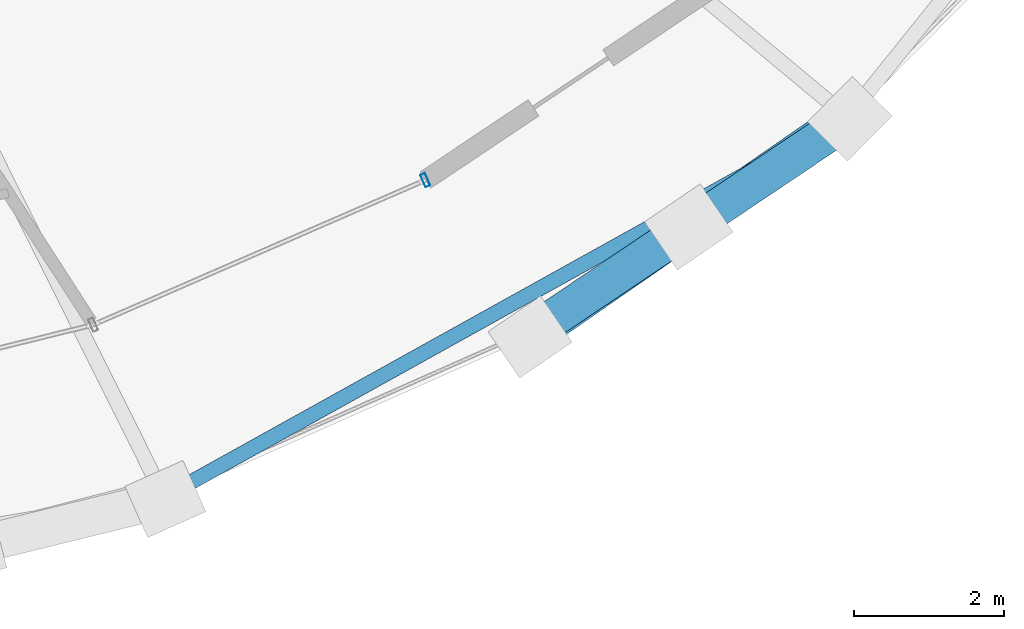
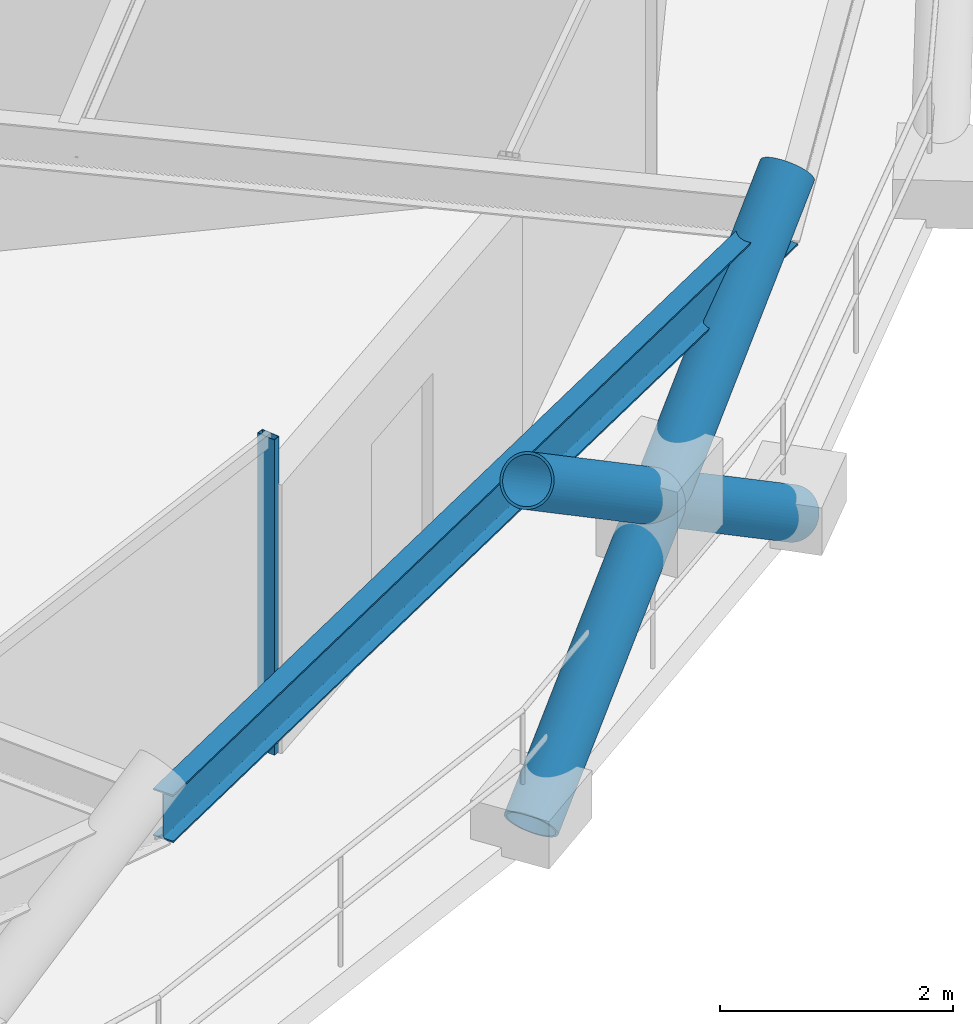
# One storey, part 5 of 19: 4 members, 1 beam, 1 element without a shape of its own.
"""IFC4 building model written with IfcOpenShell, lengths in metres."""

from ifc_helpers import new_model, si_unit, direction, frame, origin, origin_2d, place, context, subcontext, project, spatial, hollow_rectangle, hollow_circle, i_section, extrude, material, layer, layer_set, material_profile, profile_set, type_object, element, aggregate, save


model = new_model("IFC4")

# Units and contexts
model_context = context("Model", 3, precision=1e-05, world=origin(), true_north=direction((0.0, 1.0)))
body_context = subcontext(model_context, "Body", "Model", "MODEL_VIEW")
ifc_project = project(units=[si_unit("LENGTHUNIT", "METRE"), si_unit("AREAUNIT", "SQUARE_METRE"), si_unit("VOLUMEUNIT", "CUBIC_METRE"), si_unit("PLANEANGLEUNIT", "RADIAN"), si_unit("MASSUNIT", "GRAM", prefix="KILO")], contexts=[model_context])

# Site, building, storey
site_placement = place(None, origin())
site = spatial("IfcSite", under=ifc_project, at=site_placement, CompositionType="ELEMENT")
building_placement = place(site_placement, origin())
building = spatial("IfcBuilding", under=site, at=building_placement, Name="Veldorina Hangang Commons", CompositionType="ELEMENT")
storey_placement = place(building_placement, frame((0.0, 0.0, 160.39990234375)))
storey = spatial("IfcBuildingStorey", under=building, at=storey_placement, Name="L41", CompositionType="ELEMENT", Elevation=160.39990234375)

# Beam
ifc_material_1 = material(Name="Steel SM420-TMC", Category="steel")
ifc_material_profile_1 = material_profile(ifc_material_1, i_section(OverallWidth=0.199951171875, OverallDepth=0.5, WebThickness=0.010009765625, FlangeThickness=0.01611328125, FilletRadius=0.01611328125, at=origin_2d()), Name="H-500x200x10x16")
ifc_profile_set_1 = profile_set([ifc_material_profile_1], Name="Steel SM420-TMC")
beam_type = type_object("IfcBeamType", Name="BM-RB500", PredefinedType="BEAM", material=ifc_profile_set_1)
beam_placement = place(storey_placement, frame((42.772216796875, 2.37744140625, 3.10009765625), z_axis=(0.874147354533, 0.485660789609, 0.0), x_axis=(-0.485660789609, 0.874147354533, 0.0)))
element("IfcBeam", 1, at=beam_placement, inside=storey, type_object=beam_type, Name="L41 perimeter hoop ring beam 26", PredefinedType="BEAM", context=body_context, shape_type="SweptSolid", body=[
    extrude(i_section(OverallWidth=0.199951171875, OverallDepth=0.5, WebThickness=0.010009765625, FlangeThickness=0.01611328125, FilletRadius=0.01611328125, at=origin_2d()), origin(), (0.0, 0.0, 1.0), 10.446533203125),
])

# Curtain wall, member
ifc_material_2 = material(Name="Glass Low-E Triple IGU", Category="glass")
ifc_layer = layer(ifc_material_2, 0.179931640625)
ifc_layer_set = layer_set([ifc_layer], Name="Glass Low-E Triple IGU")
curtain_wall_type = type_object("IfcCurtainWallType", Name="CW-SYS-Z2", PredefinedType="NOTDEFINED", material=ifc_layer_set)
curtain_wall_placement = place(storey_placement, origin())
curtain_wall = element("IfcCurtainWall", 2, at=curtain_wall_placement, inside=storey, type_object=curtain_wall_type, Name="L41 unitised curtain wall CW-L41-R1", PredefinedType="NOTDEFINED")
ifc_material_3 = material(Name="Aluminium Anodized AA6063-T6", Category="aluminium")
ifc_material_profile_2 = material_profile(ifc_material_3, hollow_rectangle(XDim=0.070068359375, YDim=0.179931640625, WallThickness=0.00390625, at=origin_2d()), Name="ALU-RHS-180x70x4")
ifc_profile_set_2 = profile_set([ifc_material_profile_2], Name="Aluminium Anodized AA6063-T6")
member_type_1 = type_object("IfcMemberType", Name="CW-MUL-180", PredefinedType="MULLION", material=ifc_profile_set_2)
member_1_placement = place(storey_placement, frame((46.2607421875, 6.612060546875, 0.0), z_axis=(0.0, 0.0, 1.0), x_axis=(-0.916844196158, -0.399245187787, 0.0)))
member_1 = element("IfcMember", 3, at=member_1_placement, type_object=member_type_1, Name="CW-L41-R1 vertical mullion 5", PredefinedType="MULLION", context=body_context, shape_type="SweptSolid", body=[
    extrude(hollow_rectangle(XDim=0.070068359375, YDim=0.179931640625, WallThickness=0.00390625, at=origin_2d()), origin(), (0.0, 0.0, 1.0), 3.31005859375),
])
aggregate(curtain_wall, [member_1])

# Members
ifc_material_profile_3 = material_profile(ifc_material_1, hollow_circle(Radius=0.25, WallThickness=0.02490234375, at=origin_2d()), Name="CHS-500x25")
ifc_profile_set_3 = profile_set([ifc_material_profile_3], Name="Steel SM420-TMC")
member_type_2 = type_object("IfcMemberType", Name="DG-CHS500", PredefinedType="BRACE", material=ifc_profile_set_3)
member_2_placement = place(storey_placement, frame((47.660888671875, 4.516845703125, 0.0), z_axis=(0.673943637886, 0.467036225299, 0.572430901692), x_axis=(-0.569589044661, 0.821929632147, 0.0)))
element("IfcMember", 4, at=member_2_placement, inside=storey, type_object=member_type_2, Name="L41 continuous perimeter diagrid brace 27", PredefinedType="BRACE", context=body_context, shape_type="SweptSolid", body=[
    extrude(hollow_circle(Radius=0.25, WallThickness=0.02490234375, at=origin_2d()), origin(), (0.0, 0.0, 1.0), 6.2890625),
])
member_3_placement = place(storey_placement, frame((51.9326171875, 7.430908203125, 0.0), z_axis=(-0.681564620315, -0.457729174002, 0.570923525179), x_axis=(0.557524195862, -0.830160689884, 0.0)))
element("IfcMember", 5, at=member_3_placement, inside=storey, type_object=member_type_2, Name="L41 split perimeter diagrid lower brace 28", PredefinedType="BRACE", context=body_context, shape_type="SweptSolid", body=[
    extrude(hollow_circle(Radius=0.25, WallThickness=0.02490234375, at=origin_2d()), origin(), (0.0, 0.0, 1.0), 3.155517578125),
])
member_4_placement = place(storey_placement, frame((49.781982421875, 5.986572265625, 1.801513671875), z_axis=(-0.681473258836, -0.457906013926, 0.570890777558), x_axis=(0.55772412154, -0.830026387684, 0.0)))
element("IfcMember", 6, at=member_4_placement, inside=storey, type_object=member_type_2, Name="L41 split perimeter diagrid upper brace 28", PredefinedType="BRACE", context=body_context, shape_type="SweptSolid", body=[
    extrude(hollow_circle(Radius=0.25, WallThickness=0.02490234375, at=origin_2d()), origin(), (0.0, 0.0, 1.0), 3.150390625),
])

save(model, "model.ifc")
